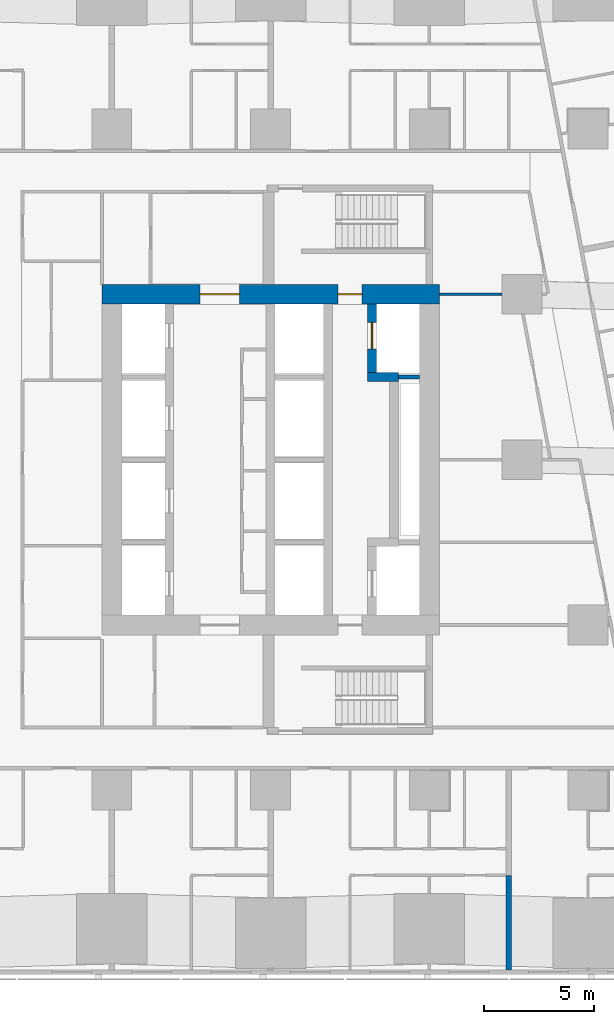
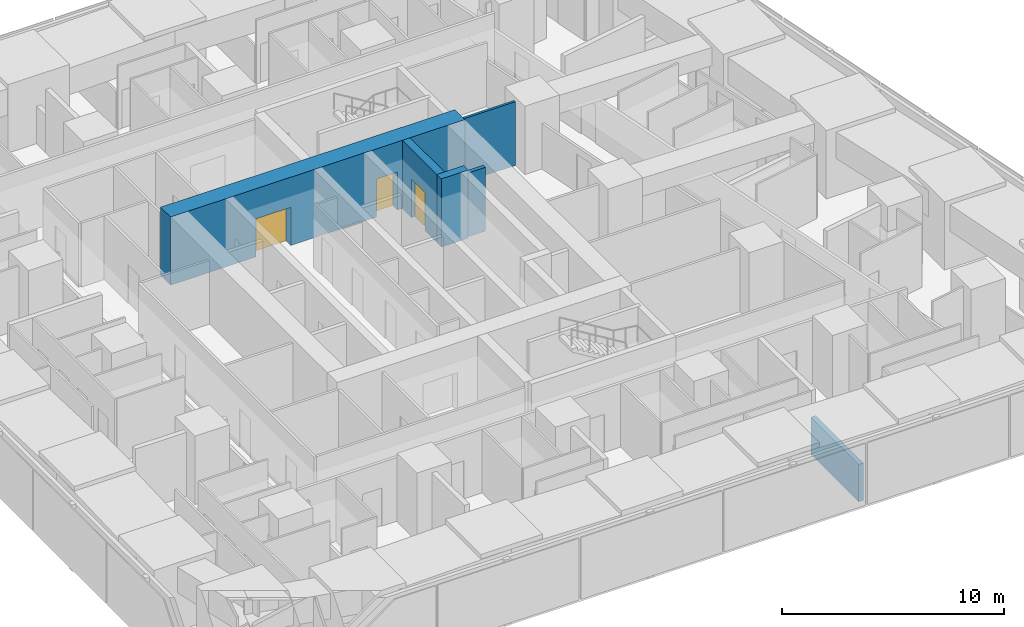
# One storey, part 7 of 17: 6 walls, 3 doors, 3 openings.
"""IFC4 building model written with IfcOpenShell, lengths in metres."""

from ifc_helpers import new_model, si_unit, direction, frame, frame_2d, origin, place, context, subcontext, project, spatial, rectangle, extrude, material, layer, layer_set, type_object, element, fill, save


model = new_model("IFC4")

# Units and contexts
model_context = context("Model", 3, precision=1e-05, world=origin(), true_north=direction((0.0, 1.0)))
body_context = subcontext(model_context, "Body", "Model", "MODEL_VIEW")
ifc_project = project(units=[si_unit("LENGTHUNIT", "METRE"), si_unit("AREAUNIT", "SQUARE_METRE"), si_unit("VOLUMEUNIT", "CUBIC_METRE"), si_unit("PLANEANGLEUNIT", "RADIAN"), si_unit("MASSUNIT", "GRAM", prefix="KILO")], contexts=[model_context])

# Site, building, storey
site_placement = place(None, origin())
site = spatial("IfcSite", under=ifc_project, at=site_placement, CompositionType="ELEMENT")
building_placement = place(site_placement, origin())
building = spatial("IfcBuilding", under=site, at=building_placement, Name="Sheger Commons Tower", CompositionType="ELEMENT")
storey_placement = place(building_placement, frame((0.0, 0.0, 27.5)))
storey = spatial("IfcBuildingStorey", under=building, at=storey_placement, Name="L06", CompositionType="ELEMENT", Elevation=27.5)

# Wall
ifc_material_1 = material(Name="Concrete C50/60", Category="concrete")
ifc_layer_1 = layer(ifc_material_1, 0.39990234375)
ifc_layer_set_1 = layer_set([ifc_layer_1], Name="CORE INNER WALL 400")
wall_type_1 = type_object("IfcWallType", Name="CORE INNER WALL 400", PredefinedType="SHEAR", material=ifc_layer_set_1)
wall_1_placement = place(storey_placement, frame((26.0, 26.25, 0.0), z_axis=(0.0, 0.0, 1.0), x_axis=(1.0, 0.0, 0.0)))
element("IfcWall", 1, at=wall_1_placement, inside=storey, type_object=wall_type_1, Name="Core inner wall F north return L06", PredefinedType="SHEAR", context=body_context, shape_type="SweptSolid", body=[
    extrude(rectangle(XDim=1.39990234375, YDim=0.39990234375, at=frame_2d((0.699951171875, 0.0))), origin(), (0.0, 0.0, 1.0), 3.75),
])

# Wall, opening, door
wall_2_placement = place(storey_placement, frame((26.199951171875, 26.449951171875, 0.0), z_axis=(0.0, 0.0, 1.0), x_axis=(0.0, 1.0, 0.0)))
wall_2 = element("IfcWall", 2, at=wall_2_placement, inside=storey, type_object=wall_type_1, Name="Core inner wall F north L06", PredefinedType="SHEAR", context=body_context, shape_type="SweptSolid", body=[
    extrude(rectangle(XDim=3.10009765625, YDim=0.39990234375, at=frame_2d((1.550048828125, 0.0))), origin(), (0.0, 0.0, 1.0), 3.75),
])
opening_1_placement = place(wall_2_placement, frame((1.074951171875, 0.0, 0.0)))
opening_1 = element("IfcOpeningElement", 3, at=opening_1_placement, cuts=wall_2, Name="Opening LD2", PredefinedType="OPENING", context=body_context, shape_type="SweptSolid", body=[
    extrude(rectangle(XDim=1.199951171875, YDim=2.10009765625, at=frame_2d((0.60009765625, 1.050048828125))), frame((0.0, 0.2099609375, 0.0), z_axis=(0.0, -1.0, 0.0), x_axis=(1.0, 0.0, 0.0)), (0.0, 0.0, 1.0), 0.419921875),
])
ifc_material_2 = material(Name="Steel door set, fire rated", Category="steel")
door_type_1 = type_object("IfcDoorType", Name="FIREFIGHTING LIFT LANDING DOOR 1200x2100", OperationType="DOUBLE_DOOR_SLIDING", PredefinedType="DOOR", material=ifc_material_2)
door_1_placement = place(opening_1_placement, origin())
door_1 = element("IfcDoor", 4, at=door_1_placement, inside=storey, type_object=door_type_1, Name="Lift FL2 landing door", OperationType="DOUBLE_DOOR_SLIDING", OverallHeight=2.10009765625, OverallWidth=1.199951171875, PredefinedType="DOOR", context=body_context, shape_type="SweptSolid", body=[
    extrude(rectangle(XDim=1.199951171875, YDim=2.10009765625, at=frame_2d((0.60009765625, 1.050048828125))), frame((0.0, 0.02490234375, 0.0), z_axis=(0.0, -1.0, 0.0), x_axis=(1.0, 0.0, 0.0)), (0.0, 0.0, 1.0), 0.050048828125),
])
fill(opening_1, door_1)

# Wall, openings, doors
ifc_material_3 = material(Name="Concrete C50/60", Category="concrete")
ifc_layer_2 = layer(ifc_material_3, 0.89990234375)
ifc_layer_set_2 = layer_set([ifc_layer_2], Name="CORE WALL 900")
wall_type_2 = type_object("IfcWallType", Name="CORE WALL 900", PredefinedType="SHEAR", material=ifc_layer_set_2)
wall_3_placement = place(storey_placement, frame((13.949951171875, 30.0, 0.0), z_axis=(0.0, 0.0, 1.0), x_axis=(1.0, 0.0, 0.0)))
wall_3 = element("IfcWall", 5, at=wall_3_placement, inside=storey, type_object=wall_type_2, Name="Core wall north L06", PredefinedType="SHEAR", context=body_context, shape_type="SweptSolid", body=[
    extrude(rectangle(XDim=15.300048828125, YDim=0.89990234375, at=frame_2d((7.64990234375, 0.0))), origin(), (0.0, 0.0, 1.0), 3.75),
])
opening_2_placement = place(wall_3_placement, frame((4.449951171875, 0.0, 0.0)))
opening_2 = element("IfcOpeningElement", 6, at=opening_2_placement, cuts=wall_3, Name="Opening D6", PredefinedType="OPENING", context=body_context, shape_type="SweptSolid", body=[
    extrude(rectangle(XDim=1.800048828125, YDim=2.10009765625, at=frame_2d((0.89990234375, 1.050048828125))), frame((0.0, 0.4599609375, 0.0), z_axis=(0.0, -1.0, 0.0), x_axis=(1.0, 0.0, 0.0)), (0.0, 0.0, 1.0), 0.919921875),
])
opening_3_placement = place(wall_3_placement, frame((10.699951171875, 0.0, 0.0)))
opening_3 = element("IfcOpeningElement", 7, at=opening_3_placement, cuts=wall_3, Name="Opening D5", PredefinedType="OPENING", context=body_context, shape_type="SweptSolid", body=[
    extrude(rectangle(XDim=1.10009765625, YDim=2.10009765625, at=frame_2d((0.550048828125, 1.050048828125))), frame((0.0, 0.4599609375, 0.0), z_axis=(0.0, -1.0, 0.0), x_axis=(1.0, 0.0, 0.0)), (0.0, 0.0, 1.0), 0.919921875),
])
ifc_material_4 = material(Name="Steel door set, fire rated", Category="steel")
door_type_2 = type_object("IfcDoorType", Name="LOBBY DOUBLE DOOR 1800x2100", OperationType="DOUBLE_DOOR_SINGLE_SWING", PredefinedType="DOOR", material=ifc_material_4)
door_2_placement = place(opening_2_placement, origin())
door_2 = element("IfcDoor", 8, at=door_2_placement, inside=storey, type_object=door_type_2, Name="Lift lobby door", OperationType="DOUBLE_DOOR_SINGLE_SWING", OverallHeight=2.10009765625, OverallWidth=1.800048828125, PredefinedType="DOOR", context=body_context, shape_type="SweptSolid", body=[
    extrude(rectangle(XDim=1.800048828125, YDim=2.10009765625, at=frame_2d((0.89990234375, 1.050048828125))), frame((0.0, 0.02490234375, 0.0), z_axis=(0.0, -1.0, 0.0), x_axis=(1.0, 0.0, 0.0)), (0.0, 0.0, 1.0), 0.050048828125),
])
fill(opening_2, door_2)
ifc_material_5 = material(Name="Steel door set, fire rated", Category="steel")
door_type_3 = type_object("IfcDoorType", Name="STAIR DOOR 1100x2100", OperationType="NOTDEFINED", PredefinedType="DOOR", material=ifc_material_5)
door_3_placement = place(opening_3_placement, origin())
door_3 = element("IfcDoor", 9, at=door_3_placement, inside=storey, type_object=door_type_3, Name="Fire-fighting lobby door", OperationType="SINGLE_SWING_RIGHT", OverallHeight=2.10009765625, OverallWidth=1.10009765625, PredefinedType="DOOR", context=body_context, shape_type="SweptSolid", body=[
    extrude(rectangle(XDim=1.10009765625, YDim=2.10009765625, at=frame_2d((0.550048828125, 1.050048828125))), frame((0.0, 0.02490234375, 0.0), z_axis=(0.0, -1.0, 0.0), x_axis=(1.0, 0.0, 0.0)), (0.0, 0.0, 1.0), 0.050048828125),
])
fill(opening_3, door_3)

# Walls
ifc_material_6 = material(Name="Dense concrete block masonry, plastered both sides (separating wall between flats)", Category="masonry")
ifc_layer_3 = layer(ifc_material_6, 0.25)
ifc_layer_set_3 = layer_set([ifc_layer_3], Name="DEMISING WALL 250")
wall_type_3 = type_object("IfcWallType", Name="DEMISING WALL 250", PredefinedType="SOLIDWALL", material=ifc_layer_set_3)
wall_4_placement = place(storey_placement, frame((32.39990234375, -0.64990234375, 0.0), z_axis=(0.0, 0.0, 1.0), x_axis=(0.0, 1.0, 0.0)))
element("IfcWall", 10, at=wall_4_placement, inside=storey, type_object=wall_type_3, Name="Demising wall L06", PredefinedType="SOLIDWALL", context=body_context, shape_type="SweptSolid", body=[
    extrude(rectangle(XDim=4.2998046875, YDim=0.25, at=frame_2d((2.14990234375, 0.0))), origin(), (0.0, 0.0, 1.0), 2.050048828125),
])
ifc_material_7 = material(Name="Gypsum board on steel studs, two layers each side, fire rated", Category="steel")
ifc_layer_4 = layer(ifc_material_7, 0.125)
ifc_layer_set_4 = layer_set([ifc_layer_4], Name="SERVICE WALL 125")
wall_type_4 = type_object("IfcWallType", Name="SERVICE WALL 125", PredefinedType="PARTITIONING", material=ifc_layer_set_4)
wall_5_placement = place(storey_placement, frame((29.25, 30.0, 0.0), z_axis=(0.0, 0.0, 1.0), x_axis=(1.0, 0.0, 0.0)))
element("IfcWall", 11, at=wall_5_placement, inside=storey, type_object=wall_type_4, Name="Service room wall L06", PredefinedType="PARTITIONING", context=body_context, shape_type="SweptSolid", body=[
    extrude(rectangle(XDim=2.84912109375, YDim=0.125, at=frame_2d((1.424560546875, 0.0))), origin(), (0.0, 0.0, 1.0), 3.5),
])
ifc_material_8 = material(Name="Hollow concrete block masonry", Category="masonry")
ifc_layer_5 = layer(ifc_material_8, 0.199951171875)
ifc_layer_set_5 = layer_set([ifc_layer_5], Name="SHAFT WALL 200")
wall_type_5 = type_object("IfcWallType", Name="SHAFT WALL 200", PredefinedType="SOLIDWALL", material=ifc_layer_set_5)
wall_6_placement = place(storey_placement, frame((27.39990234375, 26.25, 0.0), z_axis=(0.0, 0.0, 1.0), x_axis=(1.0, 0.0, 0.0)))
element("IfcWall", 12, at=wall_6_placement, inside=storey, type_object=wall_type_5, Name="Lift shaft wall L06", PredefinedType="SOLIDWALL", context=body_context, shape_type="SweptSolid", body=[
    extrude(rectangle(XDim=0.9501953125, YDim=0.199951171875, at=frame_2d((0.47509765625, 0.0))), origin(), (0.0, 0.0, 1.0), 3.5),
])

save(model, "model.ifc")
